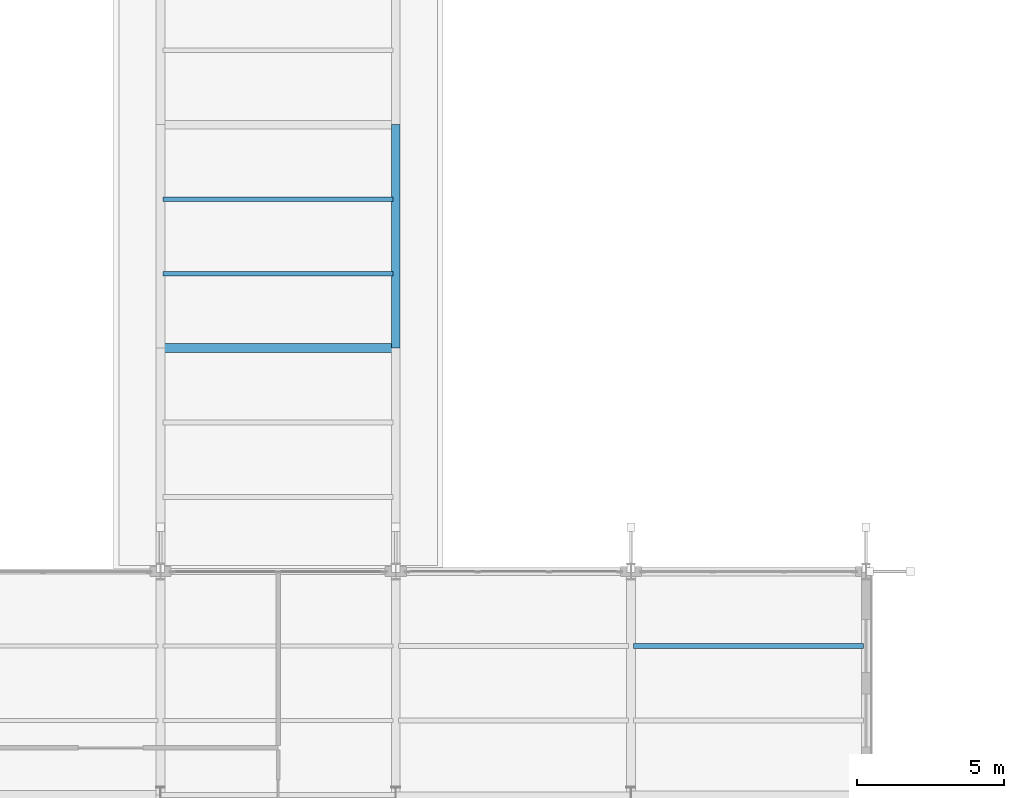
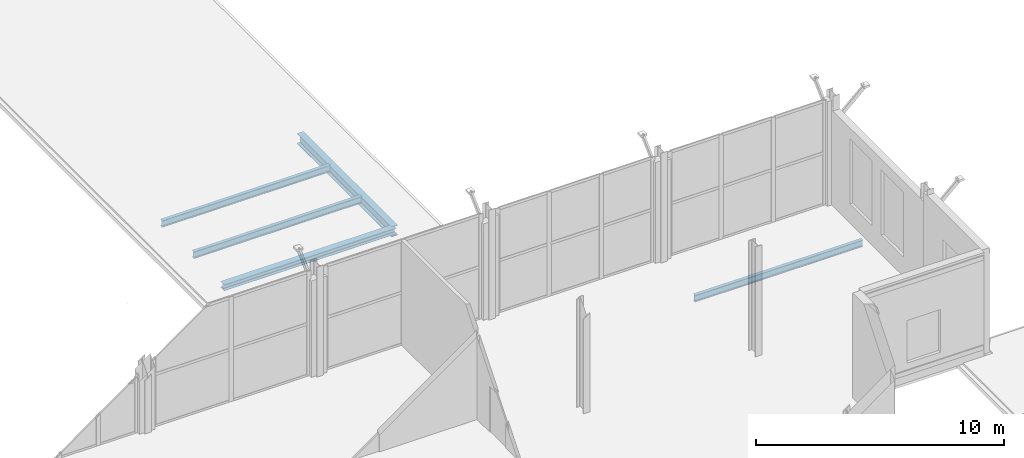
# One storey, part 32 of 147: 5 beams.
"""IFC4 building model written with IfcOpenShell, lengths in metres."""

import ifcopenshell
import ifcopenshell.guid

model = None  # the IFC model being written
_history = None  # IfcOwnerHistory: only IFC2X3 demands one
_inside = {}  # id of a spatial element -> (the spatial element, [elements in it])
_under = {}  # id of a project, library or spatial element -> (it, [spatial elements below it])
_declared = {}  # id of a project -> (the project, [libraries it declares])
_typed = {}  # id of a type object -> (the type object, [elements of that type])
_made_of = {}  # id of a material, layer set ... -> (it, [elements and type objects made of it])


def new_model(schema):
    """Start an empty IFC model of exactly this schema.

    Asked for "IFC4X3", IfcOpenShell would pick the latest addendum, in which some entities
    have other attributes; the version numbers below select the first issue.
    IFC2X3 requires an IfcOwnerHistory on every rooted entity: one is made here for all.
    """
    global model, _history
    if schema == "IFC4X3":
        model = ifcopenshell.file(schema_version=(4, 3, 0, 0))
    else:
        model = ifcopenshell.file(schema=schema)
    _inside.clear()
    _under.clear()
    _declared.clear()
    _typed.clear()
    _made_of.clear()
    _history = None
    if model.schema == "IFC2X3":
        org = make("IfcOrganization", Name="unknown")
        user = make(
            "IfcPersonAndOrganization",
            ThePerson=make("IfcPerson", FamilyName="unknown"),
            TheOrganization=org,
        )
        app = make(
            "IfcApplication",
            ApplicationDeveloper=org,
            Version="unknown",
            ApplicationFullName="unknown",
            ApplicationIdentifier="unknown",
        )
        _history = make(
            "IfcOwnerHistory",
            OwningUser=user,
            OwningApplication=app,
            ChangeAction="ADDED",
            CreationDate=0,
        )
    return model


def make(cls, **values):
    """One entity of the class cls with the attributes given. An attribute that is None is left unset."""
    return model.create_entity(
        cls, **{name: value for name, value in values.items() if value is not None}
    )


def rooted(cls, **values):
    """An entity with a GlobalId (a new one), such as an element, a storey or a relation."""
    return make(cls, GlobalId=ifcopenshell.guid.new(), OwnerHistory=_history, **values)


def si_unit(unit_type, name, prefix=None):
    """IfcSIUnit, for example si_unit("LENGTHUNIT", "METRE", prefix="MILLI")."""
    return make("IfcSIUnit", UnitType=unit_type, Prefix=prefix, Name=name)


def assignment(units):
    """IfcUnitAssignment: the units of a project."""
    return None if units is None else make("IfcUnitAssignment", Units=units)


def point(xyz):
    """IfcCartesianPoint."""
    return None if xyz is None else make("IfcCartesianPoint", Coordinates=xyz)


def direction(xyz):
    """IfcDirection."""
    return None if xyz is None else make("IfcDirection", DirectionRatios=xyz)


def frame(location, z_axis=None, x_axis=None):
    """IfcAxis2Placement3D, a coordinate frame: its origin and axes. An axis left out is left unset."""
    return make(
        "IfcAxis2Placement3D",
        Location=point(location),
        Axis=direction(z_axis),
        RefDirection=direction(x_axis),
    )


def frame_2d(location, x_axis=None):
    """IfcAxis2Placement2D, a coordinate frame in the plane: its origin and x axis."""
    return make(
        "IfcAxis2Placement2D", Location=point(location), RefDirection=direction(x_axis)
    )


def origin():
    """The frame at (0, 0, 0) with its axes left unset."""
    return frame((0.0, 0.0, 0.0))


def origin_2d():
    """The frame at (0, 0) in the plane with its x axis left unset."""
    return frame_2d((0.0, 0.0))


def place(relative_to, where):
    """IfcLocalPlacement: puts the frame where relative to a parent placement (None: the world)."""
    return make(
        "IfcLocalPlacement", PlacementRelTo=relative_to, RelativePlacement=where
    )


def context(
    kind, dimensions, precision=None, world=None, true_north=None, identifier=None
):
    """IfcGeometricRepresentationContext, for example the 3D "Model" context."""
    return make(
        "IfcGeometricRepresentationContext",
        ContextIdentifier=identifier,
        ContextType=kind,
        CoordinateSpaceDimension=dimensions,
        Precision=precision,
        WorldCoordinateSystem=world,
        TrueNorth=true_north,
    )


def subcontext(parent, identifier, kind, view, scale=None):
    """IfcGeometricRepresentationSubContext, for example "Body" below "Model"."""
    return make(
        "IfcGeometricRepresentationSubContext",
        ContextIdentifier=identifier,
        ContextType=kind,
        ParentContext=parent,
        TargetScale=scale,
        TargetView=view,
    )


def project(units=None, contexts=None):
    """IfcProject with its units and contexts."""
    return rooted(
        "IfcProject",
        Name="project",
        RepresentationContexts=contexts,
        UnitsInContext=assignment(units),
    )


def spatial(cls, under=None, at=None, **own):
    """A site, building, storey or space (cls), placed at a placement, below another one or the project."""
    s = rooted(cls, ObjectPlacement=at, **own)
    if under is not None:
        _under.setdefault(under.id(), (under, []))[1].append(s)
    return s


def profile(cls, at=None, kind="AREA", **sizes):
    """A parametric profile (cls). Its sizes go by their IFC names, for example OverallWidth=200.0."""
    return make(cls, ProfileType=kind, Position=at, **sizes)


def i_section(**sizes):
    """IfcIShapeProfileDef."""
    return profile("IfcIShapeProfileDef", **sizes)


def extrude(swept, where, along, depth):
    """IfcExtrudedAreaSolid: the profile swept, set in the frame where, extruded along a direction by depth."""
    return make(
        "IfcExtrudedAreaSolid",
        SweptArea=swept,
        Position=where,
        ExtrudedDirection=direction(along),
        Depth=depth,
    )


def shape(context_of_items, identifier, shape_type, items):
    """IfcShapeRepresentation: the items that make up one representation, for example the "Body"."""
    return make(
        "IfcShapeRepresentation",
        ContextOfItems=context_of_items,
        RepresentationIdentifier=identifier,
        RepresentationType=shape_type,
        Items=items,
    )


def material(Name=None, Category=None):
    """IfcMaterial."""
    return make("IfcMaterial", Name=Name, Category=Category)


def material_profile(
    of_material, cross_section, Name=None, Category=None, Priority=None
):
    """IfcMaterialProfile: a cross section and its material."""
    return make(
        "IfcMaterialProfile",
        Name=Name,
        Material=of_material,
        Profile=cross_section,
        Priority=Priority,
        Category=Category,
    )


def profile_set(profiles, Name=None, composite=None):
    """IfcMaterialProfileSet."""
    return make(
        "IfcMaterialProfileSet",
        Name=Name,
        MaterialProfiles=profiles,
        CompositeProfile=composite,
    )


def made_of(thing, what):
    """Note that an element or type object is made of a material, layer set ...; save() writes the relation."""
    if what is not None:
        _made_of.setdefault(what.id(), (what, []))[1].append(thing)
    return thing


def type_object(cls, material=None, **own):
    """A type object (cls), such as IfcWallType, which elements share."""
    return made_of(rooted(cls, **own), material)


def element(
    cls,
    number,
    at=None,
    inside=None,
    cuts=None,
    type_object=None,
    material=None,
    context=None,
    identifier="Body",
    shape_type=None,
    held_by="IfcProductDefinitionShape",
    body=None,
    shapes=None,
    **own,
):
    """One element of the class cls, such as IfcWall. Its Tag is "e" and its number.

    at: its placement. inside: the storey or other place that contains it. cuts: it is an
    opening in that element (IfcRelVoidsElement). A single representation is given by context,
    identifier, shape_type and body (its items); several are given by shapes. held_by: the class
    of the entity that holds the representations. save() writes the other relations.
    """
    e = rooted(cls, Tag="e%d" % number, ObjectPlacement=at, **own)
    if body is not None:
        shapes = [shape(context, identifier, shape_type, body)]
    if shapes is not None:
        e.Representation = make(held_by, Representations=shapes)
    if inside is not None:
        _inside.setdefault(inside.id(), (inside, []))[1].append(e)
    if cuts is not None:
        rooted(
            "IfcRelVoidsElement", RelatingBuildingElement=cuts, RelatedOpeningElement=e
        )
    if type_object is not None:
        _typed.setdefault(type_object.id(), (type_object, []))[1].append(e)
    return made_of(e, material)


def aggregate(whole, parts):
    """IfcRelAggregates: a whole, such as a stair, and the parts it consists of."""
    return rooted("IfcRelAggregates", RelatingObject=whole, RelatedObjects=parts)


def save(model, path):
    """Write the relations noted so far, then the file.

    IfcRelAggregates (storeys below a building ...), IfcRelContainedInSpatialStructure (elements
    in a storey), IfcRelDefinesByType, IfcRelAssociatesMaterial and IfcRelDeclares: one each for
    every whole, place, type object, material and project.
    """
    for whole, parts in _under.values():
        aggregate(whole, parts)
    for where, things in _inside.values():
        rooted(
            "IfcRelContainedInSpatialStructure",
            RelatedElements=things,
            RelatingStructure=where,
        )
    for kind, things in _typed.values():
        rooted("IfcRelDefinesByType", RelatedObjects=things, RelatingType=kind)
    for what, things in _made_of.values():
        rooted("IfcRelAssociatesMaterial", RelatedObjects=things, RelatingMaterial=what)
    for by, libraries in _declared.values():
        rooted("IfcRelDeclares", RelatingContext=by, RelatedDefinitions=libraries)
    model.write(path)


model = new_model("IFC4")

# Units and contexts
model_context = context("Model", 3, precision=1e-05, world=origin(), true_north=direction((0.0, 1.0)))
body_context = subcontext(model_context, "Body", "Model", "MODEL_VIEW")
ifc_project = project(units=[si_unit("LENGTHUNIT", "METRE"), si_unit("AREAUNIT", "SQUARE_METRE"), si_unit("VOLUMEUNIT", "CUBIC_METRE"), si_unit("PLANEANGLEUNIT", "RADIAN"), si_unit("MASSUNIT", "GRAM", prefix="KILO")], contexts=[model_context])

# Site, building, storey
site_placement = place(None, origin())
site = spatial("IfcSite", under=ifc_project, at=site_placement, CompositionType="ELEMENT")
building_placement = place(site_placement, origin())
building = spatial("IfcBuilding", under=site, at=building_placement, Name="Vekula Escarpment Museum", CompositionType="ELEMENT")
storey_placement = place(building_placement, frame((0.0, 0.0, 7.800048828125)))
storey = spatial("IfcBuildingStorey", under=building, at=storey_placement, Name="L02", CompositionType="ELEMENT", Elevation=7.800048828125)

# Beams
ifc_material_1 = material(Name="Steel S355", Category="steel")
ifc_material_profile_1 = material_profile(ifc_material_1, i_section(OverallWidth=0.300048828125, OverallDepth=0.300048828125, WebThickness=0.010986328125, FlangeThickness=0.01904296875, FilletRadius=0.027099609375, at=origin_2d()), Name="HEB 300")
ifc_profile_set_1 = profile_set([ifc_material_profile_1], Name="Steel S355")
beam_type_1 = type_object("IfcBeamType", Name="BM-GIRD-HEB300", PredefinedType="BEAM", material=ifc_profile_set_1)
beam_1_placement = place(storey_placement, frame((94.0, 22.800048828125, -0.35009765625), z_axis=(1.0, 0.0, 0.0), x_axis=(0.0, 1.0, 0.0)))
element("IfcBeam", 1, at=beam_1_placement, inside=storey, type_object=beam_type_1, Name="Beam X L02 0832", PredefinedType="BEAM", context=body_context, shape_type="SweptSolid", body=[
    extrude(i_section(OverallWidth=0.300048828125, OverallDepth=0.300048828125, WebThickness=0.010986328125, FlangeThickness=0.01904296875, FilletRadius=0.027099609375, at=origin_2d()), origin(), (0.0, 0.0, 1.0), 8.0),
])
ifc_material_2 = material(Name="Steel S355", Category="steel")
ifc_material_profile_2 = material_profile(ifc_material_2, i_section(OverallWidth=0.300048828125, OverallDepth=0.5, WebThickness=0.014404296875, FlangeThickness=0.028076171875, FilletRadius=0.027099609375, at=origin_2d()), Name="HEB 500")
ifc_profile_set_2 = profile_set([ifc_material_profile_2], Name="Steel S355")
beam_type_2 = type_object("IfcBeamType", Name="BM-GIRD-HEB500", PredefinedType="BEAM", material=ifc_profile_set_2)
beam_2_placement = place(storey_placement, frame((102.0, 22.800048828125, -0.449951171875), z_axis=(0.0, 1.0, 0.0), x_axis=(-1.0, 0.0, 0.0)))
element("IfcBeam", 2, at=beam_2_placement, inside=storey, type_object=beam_type_2, Name="Beam Y L02 1171", PredefinedType="BEAM", context=body_context, shape_type="SweptSolid", body=[
    extrude(i_section(OverallWidth=0.300048828125, OverallDepth=0.5, WebThickness=0.014404296875, FlangeThickness=0.028076171875, FilletRadius=0.027099609375, at=origin_2d()), origin(), (0.0, 0.0, 1.0), 7.599853515625),
])
ifc_material_3 = material(Name="Steel S355", Category="steel")
ifc_material_profile_3 = material_profile(ifc_material_3, i_section(OverallWidth=0.159912109375, OverallDepth=0.330078125, WebThickness=0.007568359375, FlangeThickness=0.011474609375, FilletRadius=0.01806640625, at=origin_2d()), Name="IPE 330")
ifc_profile_set_3 = profile_set([ifc_material_profile_3], Name="Steel S355")
beam_type_3 = type_object("IfcBeamType", Name="BM-JST-IPE330", PredefinedType="JOIST", material=ifc_profile_set_3)
for number, where, z_axis, x_axis, name in (
    (3, (94.090087890625, 25.333251953125, -0.364990234375), (1.0, 0.0, 0.0), (0.0, 1.0, 0.0), "Secondary Joist L02 0770"),
    (4, (94.090087890625, 27.86669921875, -0.364990234375), (1.0, 0.0, 0.0), (0.0, 1.0, 0.0), "Secondary Joist L02 0771"),
    (5, (110.090087890625, 12.666748046875, -0.425048828125), (1.0, 0.0, 0.0), (0.0, 1.0, 0.0), "Secondary Joist L02 0805"),
):
    element("IfcBeam", number, at=place(storey_placement, frame(where, z_axis=z_axis, x_axis=x_axis)), inside=storey, type_object=beam_type_3, Name=name, PredefinedType="JOIST", context=body_context, shape_type="SweptSolid", body=[
        extrude(i_section(OverallWidth=0.159912109375, OverallDepth=0.330078125, WebThickness=0.007568359375, FlangeThickness=0.011474609375, FilletRadius=0.01806640625, at=origin_2d()), origin(), (0.0, 0.0, 1.0), 7.81982421875),
    ])

save(model, "model.ifc")
